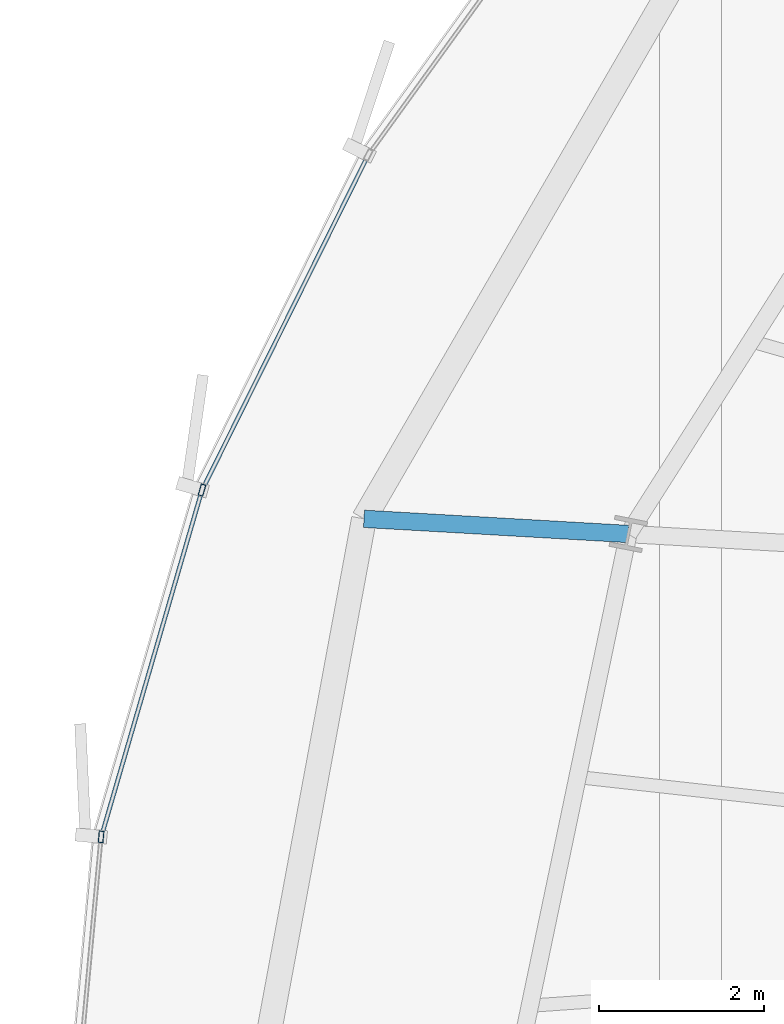
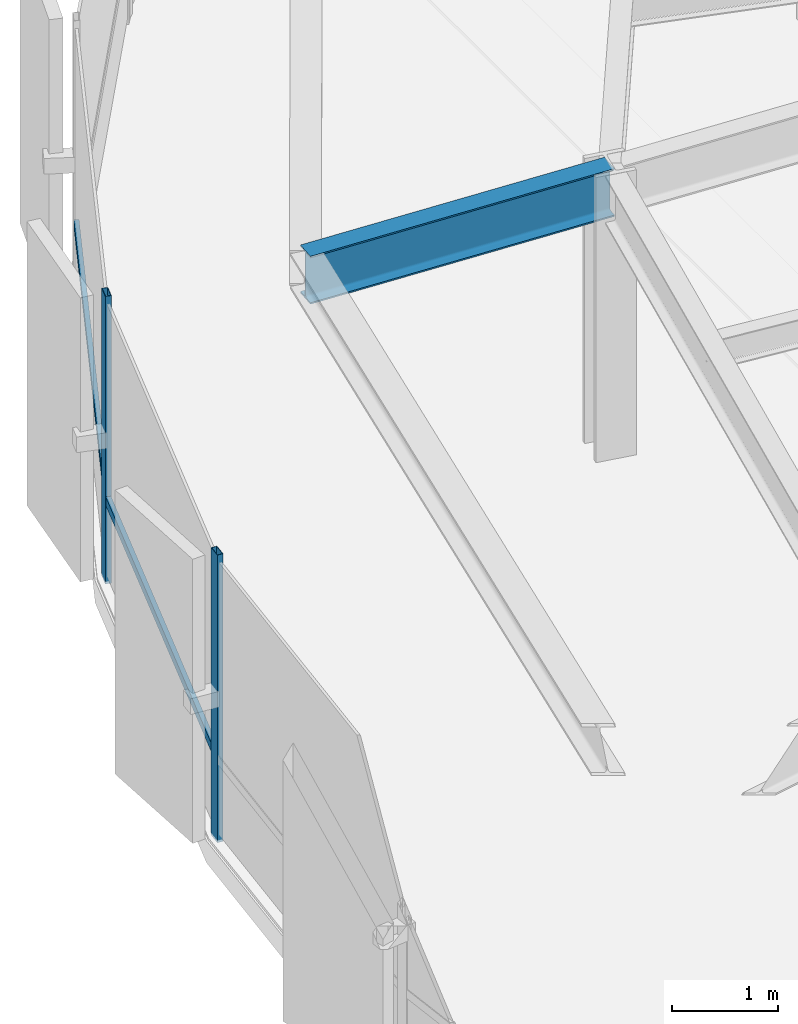
# One storey, part 10 of 37: 4 members, 1 beam, 1 element without a shape of its own.
"""IFC4 building model written with IfcOpenShell, lengths in metres."""

from ifc_helpers import new_model, si_unit, direction, frame, origin, origin_2d, place, context, subcontext, project, spatial, hollow_rectangle, i_section, extrude, source, transform, mapped, material, layer, layer_set, material_profile, profile_set, type_object, element, aggregate, save


model = new_model("IFC4")

# Units and contexts
model_context = context("Model", 3, precision=1e-05, world=origin(), true_north=direction((0.0, 1.0)))
body_context = subcontext(model_context, "Body", "Model", "MODEL_VIEW")
ifc_project = project(units=[si_unit("LENGTHUNIT", "METRE"), si_unit("AREAUNIT", "SQUARE_METRE"), si_unit("VOLUMEUNIT", "CUBIC_METRE"), si_unit("PLANEANGLEUNIT", "RADIAN"), si_unit("MASSUNIT", "GRAM", prefix="KILO"), si_unit("THERMODYNAMICTEMPERATUREUNIT", "KELVIN")], contexts=[model_context])

# Site, building, storey
site_placement = place(None, origin())
site = spatial("IfcSite", under=ifc_project, at=site_placement, CompositionType="ELEMENT")
building_placement = place(site_placement, origin())
building = spatial("IfcBuilding", under=site, at=building_placement, Name="Kethvar Cultural Tower", CompositionType="ELEMENT")
storey_placement = place(building_placement, frame((0.0, 0.0, 132.35009765625)))
storey = spatial("IfcBuildingStorey", under=building, at=storey_placement, Name="L33", CompositionType="ELEMENT", Elevation=132.35009765625)

# Beam
ifc_material_1 = material(Name="Steel S355J2", Category="steel")
ifc_material_profile_1 = material_profile(ifc_material_1, i_section(OverallWidth=0.2099609375, OverallDepth=0.550048828125, WebThickness=0.010986328125, FlangeThickness=0.01708984375, FilletRadius=0.02392578125, at=origin_2d()), Name="Steel S355J2 — IPE550")
ifc_profile_set_1 = profile_set([ifc_material_profile_1], Name="Steel S355J2 — IPE550")
beam_type = type_object("IfcBeamType", Name="BM-IPE550", PredefinedType="BEAM", material=ifc_profile_set_1)
shared_shape_1 = source(origin(), body_context, "Body", "SweptSolid", [
    extrude(i_section(OverallWidth=0.2099609375, OverallDepth=0.550048828125, WebThickness=0.010986328125, FlangeThickness=0.01708984375, FilletRadius=0.02392578125, at=origin_2d()), origin(), (0.0, 0.0, 1.0), 3.2001953125),
])
beam_placement = place(storey_placement, frame((25.988525390625, 31.939697265625, 3.02294921875), z_axis=(-0.998357274949, 0.057295301352, 0.0), x_axis=(-0.057295301352, -0.998357274949, 0.0)))
element("IfcBeam", 1, at=beam_placement, inside=storey, type_object=beam_type, Name="L33 Perimeter Cantilever Beam RC-08", PredefinedType="BEAM", context=body_context, shape_type="MappedRepresentation", body=[
    mapped(shared_shape_1, transform((0.0, 0.0, 0.0), scale=1.0)),
])

# Curtain wall, members
ifc_material_2 = material(Name="Aluminium 6063-T6", Category="aluminium")
ifc_layer = layer(ifc_material_2, 0.179931640625, Name="Aluminium 6063-T6", Category="aluminium")
ifc_layer_set = layer_set([ifc_layer], Name="Aluminium 6063-T6 (180 mm)")
curtain_wall_type = type_object("IfcCurtainWallType", Name="CW-SYS-04-Z34", PredefinedType="NOTDEFINED", material=ifc_layer_set)
curtain_wall_placement = place(storey_placement, origin())
curtain_wall = element("IfcCurtainWall", 2, at=curtain_wall_placement, inside=storey, type_object=curtain_wall_type, Name="L33 Curtain Wall Run 03", PredefinedType="NOTDEFINED")
ifc_material_profile_2 = material_profile(ifc_material_2, hollow_rectangle(XDim=0.06005859375, YDim=0.139892578125, WallThickness=0.0048828125, at=origin_2d()), Name="Aluminium 6063-T6 — RHS140x60x5")
ifc_profile_set_2 = profile_set([ifc_material_profile_2], Name="Aluminium 6063-T6 — RHS140x60x5")
member_type_1 = type_object("IfcMemberType", Name="CW-SYS-04-Z34-MUL", PredefinedType="MULLION", material=ifc_profile_set_2)
shared_shape_2 = source(origin(), body_context, "Body", "SweptSolid", [
    extrude(hollow_rectangle(XDim=0.06005859375, YDim=0.139892578125, WallThickness=0.0048828125, at=origin_2d()), origin(), (0.0, 0.0, 1.0), 3.2998046875),
])
member_1_placement = place(storey_placement, frame((20.83642578125, 32.470703125, 0.0), z_axis=(0.0, 0.0, 1.0), x_axis=(0.960288816217, -0.279007866283, 0.0)))
member_1 = element("IfcMember", 3, at=member_1_placement, type_object=member_type_1, Name="CW-L33-R03 Mullion 3", PredefinedType="MULLION", context=body_context, shape_type="MappedRepresentation", body=[
    mapped(shared_shape_2, transform((0.0, 0.0, 0.0), scale=1.0)),
])
member_2_placement = place(storey_placement, frame((19.61669921875, 28.279541015625, 0.0), z_axis=(0.0, 0.0, 1.0), x_axis=(0.995671331393, -0.09294406835, 0.0)))
member_2 = element("IfcMember", 4, at=member_2_placement, type_object=member_type_1, Name="CW-L33-R03 Mullion 4", PredefinedType="MULLION", context=body_context, shape_type="MappedRepresentation", body=[
    mapped(shared_shape_2, transform((0.0, 0.0, 0.0), scale=1.0)),
])
ifc_material_profile_3 = material_profile(ifc_material_2, hollow_rectangle(XDim=0.050048828125, YDim=0.10009765625, WallThickness=0.00390625, at=origin_2d()), Name="Aluminium 6063-T6 — RHS100x50x4")
ifc_profile_set_3 = profile_set([ifc_material_profile_3], Name="Aluminium 6063-T6 — RHS100x50x4")
member_type_2 = type_object("IfcMemberType", Name="CW-SYS-04-Z34-TRN", PredefinedType="USERDEFINED", material=ifc_profile_set_3)
shared_shape_3 = source(origin(), body_context, "Body", "SweptSolid", [
    extrude(hollow_rectangle(XDim=0.050048828125, YDim=0.10009765625, WallThickness=0.00390625, at=origin_2d()), origin(), (0.0, 0.0, 1.0), 4.45458984375),
])
member_3_placement = place(storey_placement, frame((22.826171875, 36.482666015625, 0.949951171875), z_axis=(-0.443944061667, -0.896054501752, 0.0), x_axis=(0.896054501752, -0.443944061667, 0.0)))
member_3 = element("IfcMember", 5, at=member_3_placement, type_object=member_type_2, Name="CW-L33-R03 Transom 2", ObjectType="TRANSOM", PredefinedType="USERDEFINED", context=body_context, shape_type="MappedRepresentation", body=[
    mapped(shared_shape_3, transform((0.0, 0.0, 0.0), scale=1.0)),
])
shared_shape_4 = source(origin(), body_context, "Body", "SweptSolid", [
    extrude(hollow_rectangle(XDim=0.050048828125, YDim=0.10009765625, WallThickness=0.00390625, at=origin_2d()), origin(), (0.0, 0.0, 1.0), 4.29931640625),
])
member_4_placement = place(storey_placement, frame((20.824462890625, 32.42919921875, 0.949951171875), z_axis=(-0.278985886566, -0.960295202059, 0.0), x_axis=(0.960295202059, -0.278985886566, 0.0)))
member_4 = element("IfcMember", 6, at=member_4_placement, type_object=member_type_2, Name="CW-L33-R03 Transom 3", ObjectType="TRANSOM", PredefinedType="USERDEFINED", context=body_context, shape_type="MappedRepresentation", body=[
    mapped(shared_shape_4, transform((0.0, 0.0, 0.0), scale=1.0)),
])
aggregate(curtain_wall, [member_1, member_2, member_3, member_4])

save(model, "model.ifc")
